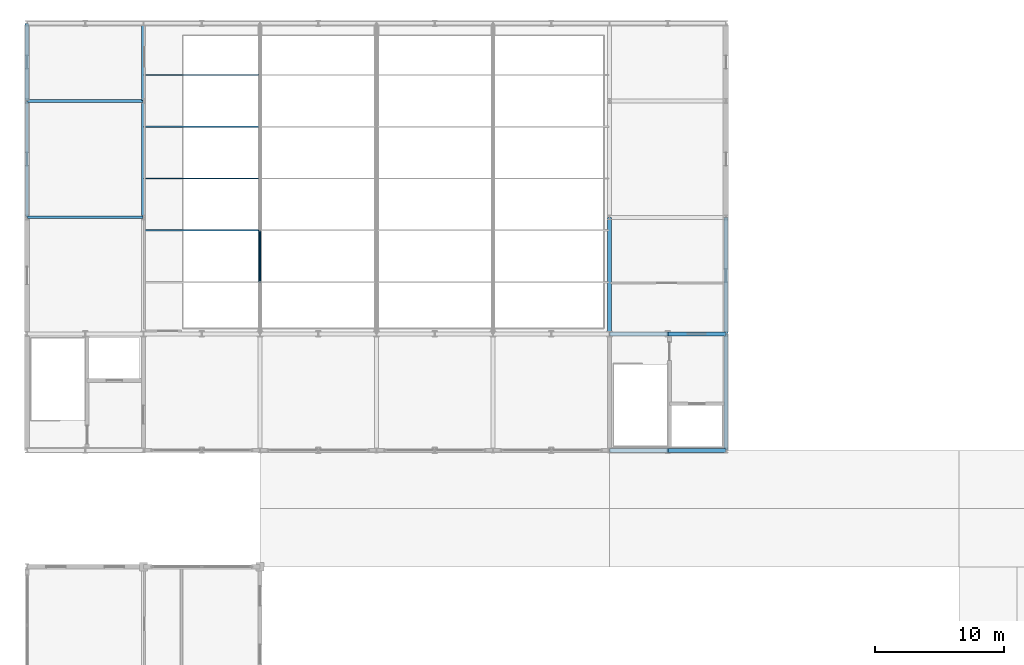
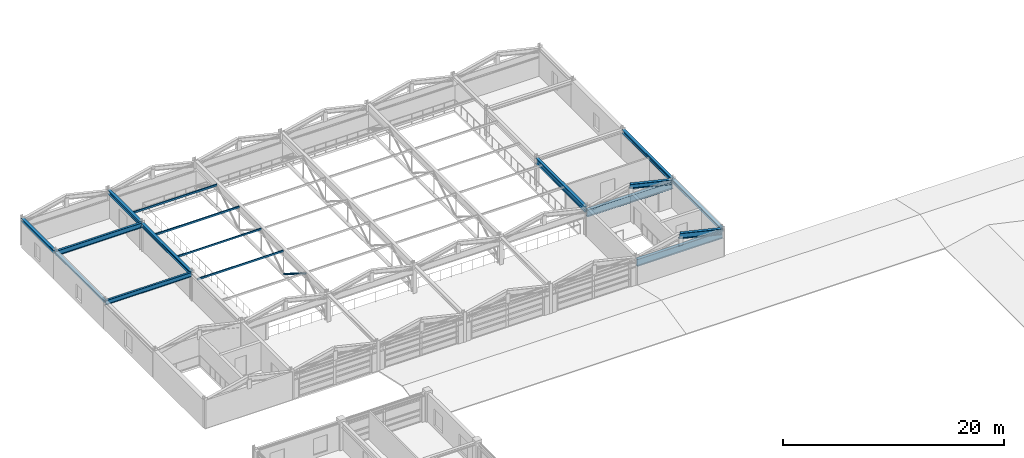
# One storey, part 29 of 91: 13 beams, 5 members.
"""IFC4 building model written with IfcOpenShell, lengths in metres."""

from ifc_helpers import new_model, si_unit, direction, frame, origin, origin_2d, place, context, subcontext, project, spatial, hollow_rectangle, hollow_circle, i_section, extrude, material, material_profile, profile_set, type_object, element, save


model = new_model("IFC4")

# Units and contexts
model_context = context("Model", 3, precision=1e-05, world=origin(), true_north=direction((0.0, 1.0)))
body_context = subcontext(model_context, "Body", "Model", "MODEL_VIEW")
ifc_project = project(units=[si_unit("LENGTHUNIT", "METRE"), si_unit("AREAUNIT", "SQUARE_METRE"), si_unit("VOLUMEUNIT", "CUBIC_METRE"), si_unit("PLANEANGLEUNIT", "RADIAN"), si_unit("MASSUNIT", "GRAM", prefix="KILO")], contexts=[model_context])

# Site, building, storey
site_placement = place(None, origin())
site = spatial("IfcSite", under=ifc_project, at=site_placement, CompositionType="ELEMENT")
building_placement = place(site_placement, origin())
building = spatial("IfcBuilding", under=site, at=building_placement, Name="Palais des Congres Ocreval", CompositionType="ELEMENT")
storey_placement = place(building_placement, frame((0.0, 0.0, 8.159912109375)))
storey = spatial("IfcBuildingStorey", under=building, at=storey_placement, Name="L02", CompositionType="ELEMENT", Elevation=8.159912109375)

# Beams
ifc_material = material(Name="Steel S355", Category="steel")
ifc_material_profile_1 = material_profile(ifc_material, i_section(OverallWidth=0.199951171875, OverallDepth=0.5, WebThickness=0.01025390625, FlangeThickness=0.01611328125, at=origin_2d()), Name="IPE 500")
ifc_profile_set_1 = profile_set([ifc_material_profile_1], Name="Steel S355")
beam_type_1 = type_object("IfcBeamType", Name="Composite Beam IPE 500 Steel S355", PredefinedType="BEAM", material=ifc_profile_set_1)
beam_1_placement = place(storey_placement, frame((0.02001953125, 99.0, 2.85009765625), z_axis=(1.0, 0.0, 0.0), x_axis=(0.0, 1.0, 0.0)))
element("IfcBeam", 1, at=beam_1_placement, inside=storey, type_object=beam_type_1, Name="Beam B04 L02", PredefinedType="BEAM", context=body_context, shape_type="SweptSolid", body=[
    extrude(i_section(OverallWidth=0.199951171875, OverallDepth=0.5, WebThickness=0.01025390625, FlangeThickness=0.01611328125, at=origin_2d()), origin(), (0.0, 0.0, 1.0), 8.9599609375),
])
ifc_material_profile_2 = material_profile(ifc_material, i_section(OverallWidth=0.2099609375, OverallDepth=0.550048828125, WebThickness=0.010986328125, FlangeThickness=0.01708984375, at=origin_2d()), Name="IPE 550")
ifc_profile_set_2 = profile_set([ifc_material_profile_2], Name="Steel S355")
beam_type_2 = type_object("IfcBeamType", Name="Composite Beam IPE 550 Steel S355", PredefinedType="BEAM", material=ifc_profile_set_2)
beam_2_placement = place(storey_placement, frame((0.02001953125, 108.0, 2.8251953125), z_axis=(1.0, 0.0, 0.0), x_axis=(0.0, 1.0, 0.0)))
element("IfcBeam", 2, at=beam_2_placement, inside=storey, type_object=beam_type_2, Name="Beam B05 L02", PredefinedType="BEAM", context=body_context, shape_type="SweptSolid", body=[
    extrude(i_section(OverallWidth=0.2099609375, OverallDepth=0.550048828125, WebThickness=0.010986328125, FlangeThickness=0.01708984375, at=origin_2d()), origin(), (0.0, 0.0, 1.0), 8.9599609375),
])

# Member
ifc_material_profile_3 = material_profile(ifc_material, hollow_circle(Radius=0.096923828125, WallThickness=0.010009765625, at=origin_2d()), Name="CHS 193.7x10")
ifc_profile_set_3 = profile_set([ifc_material_profile_3], Name="Steel S355")
member_type_1 = type_object("IfcMemberType", Name="Diagonal Brace CHS 193.7x10 Steel S355", PredefinedType="BRACE", material=ifc_profile_set_3)
member_1_placement = place(storey_placement, frame((18.0, 94.0, 2.7900390625), z_axis=(0.0, 0.847998304005, -0.529998940003), x_axis=(-1.0, 0.0, 0.0)))
element("IfcMember", 3, at=member_1_placement, inside=storey, type_object=member_type_1, Name="ROOF TRUSS Diagonal V1-18-2", PredefinedType="BRACE", context=body_context, shape_type="SweptSolid", body=[
    extrude(hollow_circle(Radius=0.096923828125, WallThickness=0.010009765625, at=origin_2d()), origin(), (0.0, 0.0, 1.0), 4.717041015625),
])

# Beams
ifc_material_profile_4 = material_profile(ifc_material, i_section(OverallWidth=0.300048828125, OverallDepth=0.7900390625, WebThickness=0.014892578125, FlangeThickness=0.028076171875, at=origin_2d()), Name="HEA 800")
ifc_profile_set_4 = profile_set([ifc_material_profile_4], Name="Steel S355")
beam_type_3 = type_object("IfcBeamType", Name="Long-Span Girder HEA 800 Steel S355", PredefinedType="BEAM", material=ifc_profile_set_4)
for number, where, z_axis, x_axis, name in (
    (4, (45.02001953125, 81.0, 2.43017578125), (1.0, 0.0, 0.0), (0.0, 1.0, 0.0), "Beam B15 L02"),
    (5, (45.02001953125, 90.0, 2.43017578125), (1.0, 0.0, 0.0), (0.0, 1.0, 0.0), "Beam B15 L02"),
):
    element("IfcBeam", number, at=place(storey_placement, frame(where, z_axis=z_axis, x_axis=x_axis)), inside=storey, type_object=beam_type_3, Name=name, PredefinedType="BEAM", context=body_context, shape_type="SweptSolid", body=[
        extrude(i_section(OverallWidth=0.300048828125, OverallDepth=0.7900390625, WebThickness=0.014892578125, FlangeThickness=0.028076171875, at=origin_2d()), origin(), (0.0, 0.0, 1.0), 8.9599609375),
    ])
ifc_material_profile_5 = material_profile(ifc_material, i_section(OverallWidth=0.260009765625, OverallDepth=0.260009765625, WebThickness=0.010009765625, FlangeThickness=0.017578125, at=origin_2d()), Name="HEB 260")
ifc_profile_set_5 = profile_set([ifc_material_profile_5], Name="Steel S355")
beam_type_4 = type_object("IfcBeamType", Name="Opening Lintel HEB 260 Steel S355", PredefinedType="LINTEL", material=ifc_profile_set_5)
beam_3_placement = place(storey_placement, frame((0.0, 99.02001953125, 2.969970703125), z_axis=(0.0, 1.0, 0.0), x_axis=(-1.0, 0.0, 0.0)))
element("IfcBeam", 6, at=beam_3_placement, inside=storey, type_object=beam_type_4, Name="Girder LN01 L02", PredefinedType="LINTEL", context=body_context, shape_type="SweptSolid", body=[
    extrude(i_section(OverallWidth=0.260009765625, OverallDepth=0.260009765625, WebThickness=0.010009765625, FlangeThickness=0.017578125, at=origin_2d()), origin(), (0.0, 0.0, 1.0), 8.9599609375),
])
ifc_material_profile_6 = material_profile(ifc_material, i_section(OverallWidth=0.300048828125, OverallDepth=0.300048828125, WebThickness=0.010986328125, FlangeThickness=0.01904296875, at=origin_2d()), Name="HEB 300")
ifc_profile_set_6 = profile_set([ifc_material_profile_6], Name="Steel S355")
beam_type_5 = type_object("IfcBeamType", Name="Perimeter Spandrel HEB 300 Steel S355", PredefinedType="SPANDREL", material=ifc_profile_set_6)
beam_4_placement = place(storey_placement, frame((0.0, 108.02001953125, 2.9501953125), z_axis=(0.0, 1.0, 0.0), x_axis=(-1.0, 0.0, 0.0)))
element("IfcBeam", 7, at=beam_4_placement, inside=storey, type_object=beam_type_5, Name="Girder SP02 L02", PredefinedType="SPANDREL", context=body_context, shape_type="SweptSolid", body=[
    extrude(i_section(OverallWidth=0.300048828125, OverallDepth=0.300048828125, WebThickness=0.010986328125, FlangeThickness=0.01904296875, at=origin_2d()), origin(), (0.0, 0.0, 1.0), 5.9599609375),
])
ifc_material_profile_7 = material_profile(ifc_material, i_section(OverallWidth=0.300048828125, OverallDepth=0.360107421875, WebThickness=0.012451171875, FlangeThickness=0.0224609375, at=origin_2d()), Name="HEB 360")
ifc_profile_set_7 = profile_set([ifc_material_profile_7], Name="Steel S355")
beam_type_6 = type_object("IfcBeamType", Name="Perimeter Spandrel HEB 360 Steel S355", PredefinedType="SPANDREL", material=ifc_profile_set_7)
beam_5_placement = place(storey_placement, frame((54.0, 81.02001953125, 2.920166015625), z_axis=(0.0, 1.0, 0.0), x_axis=(-1.0, 0.0, 0.0)))
element("IfcBeam", 8, at=beam_5_placement, inside=storey, type_object=beam_type_6, Name="Girder SP03 L02", PredefinedType="SPANDREL", context=body_context, shape_type="SweptSolid", body=[
    extrude(i_section(OverallWidth=0.300048828125, OverallDepth=0.360107421875, WebThickness=0.012451171875, FlangeThickness=0.0224609375, at=origin_2d()), origin(), (0.0, 0.0, 1.0), 8.9599609375),
])
ifc_material_profile_8 = material_profile(ifc_material, i_section(OverallWidth=0.300048828125, OverallDepth=0.39990234375, WebThickness=0.013427734375, FlangeThickness=0.02392578125, at=origin_2d()), Name="HEB 400")
ifc_profile_set_8 = profile_set([ifc_material_profile_8], Name="Steel S355")
beam_type_7 = type_object("IfcBeamType", Name="Perimeter Spandrel HEB 400 Steel S355", PredefinedType="SPANDREL", material=ifc_profile_set_8)
beam_6_placement = place(storey_placement, frame((54.0, 90.02001953125, 2.900146484375), z_axis=(0.0, 1.0, 0.0), x_axis=(-1.0, 0.0, 0.0)))
element("IfcBeam", 9, at=beam_6_placement, inside=storey, type_object=beam_type_7, Name="Girder SP04 L02", PredefinedType="SPANDREL", context=body_context, shape_type="SweptSolid", body=[
    extrude(i_section(OverallWidth=0.300048828125, OverallDepth=0.39990234375, WebThickness=0.013427734375, FlangeThickness=0.02392578125, at=origin_2d()), origin(), (0.0, 0.0, 1.0), 8.9599609375),
])
ifc_material_profile_9 = material_profile(ifc_material, i_section(OverallWidth=0.300048828125, OverallDepth=0.389892578125, WebThickness=0.010986328125, FlangeThickness=0.01904296875, at=origin_2d()), Name="HEA 400")
ifc_profile_set_9 = profile_set([ifc_material_profile_9], Name="Steel S355")
beam_type_8 = type_object("IfcBeamType", Name="Primary Beam HEA 400 Steel S355", PredefinedType="BEAM", material=ifc_profile_set_9)
beam_7_placement = place(storey_placement, frame((9.0, 99.02001953125, 2.905029296875), z_axis=(0.0, 1.0, 0.0), x_axis=(-1.0, 0.0, 0.0)))
element("IfcBeam", 10, at=beam_7_placement, inside=storey, type_object=beam_type_8, Name="Girder B10 L02", PredefinedType="BEAM", context=body_context, shape_type="SweptSolid", body=[
    extrude(i_section(OverallWidth=0.300048828125, OverallDepth=0.389892578125, WebThickness=0.010986328125, FlangeThickness=0.01904296875, at=origin_2d()), origin(), (0.0, 0.0, 1.0), 8.9599609375),
])
ifc_material_profile_10 = material_profile(ifc_material, i_section(OverallWidth=0.300048828125, OverallDepth=0.43994140625, WebThickness=0.011474609375, FlangeThickness=0.02099609375, at=origin_2d()), Name="HEA 450")
ifc_profile_set_10 = profile_set([ifc_material_profile_10], Name="Steel S355")
beam_type_9 = type_object("IfcBeamType", Name="Primary Beam HEA 450 Steel S355", PredefinedType="BEAM", material=ifc_profile_set_10)
beam_8_placement = place(storey_placement, frame((9.0, 108.02001953125, 2.880126953125), z_axis=(0.0, 1.0, 0.0), x_axis=(-1.0, 0.0, 0.0)))
element("IfcBeam", 11, at=beam_8_placement, inside=storey, type_object=beam_type_9, Name="Girder B11 L02", PredefinedType="BEAM", context=body_context, shape_type="SweptSolid", body=[
    extrude(i_section(OverallWidth=0.300048828125, OverallDepth=0.43994140625, WebThickness=0.011474609375, FlangeThickness=0.02099609375, at=origin_2d()), origin(), (0.0, 0.0, 1.0), 5.9599609375),
])
ifc_material_profile_11 = material_profile(ifc_material, i_section(OverallWidth=0.300048828125, OverallDepth=0.590087890625, WebThickness=0.012939453125, FlangeThickness=0.02490234375, at=origin_2d()), Name="HEA 600")
ifc_profile_set_11 = profile_set([ifc_material_profile_11], Name="Steel S355")
beam_type_10 = type_object("IfcBeamType", Name="Primary Girder HEA 600 Steel S355", PredefinedType="BEAM", material=ifc_profile_set_11)
beam_9_placement = place(storey_placement, frame((45.0, 90.02001953125, 2.80517578125), z_axis=(0.0, 1.0, 0.0), x_axis=(-1.0, 0.0, 0.0)))
element("IfcBeam", 12, at=beam_9_placement, inside=storey, type_object=beam_type_10, Name="Girder B13 L02", PredefinedType="BEAM", context=body_context, shape_type="SweptSolid", body=[
    extrude(i_section(OverallWidth=0.300048828125, OverallDepth=0.590087890625, WebThickness=0.012939453125, FlangeThickness=0.02490234375, at=origin_2d()), origin(), (0.0, 0.0, 1.0), 8.9599609375),
])
ifc_material_profile_12 = material_profile(ifc_material, i_section(OverallWidth=0.300048828125, OverallDepth=0.5, WebThickness=0.014404296875, FlangeThickness=0.028076171875, at=origin_2d()), Name="HEB 500")
ifc_profile_set_12 = profile_set([ifc_material_profile_12], Name="Steel S355")
beam_type_11 = type_object("IfcBeamType", Name="ROOF TRUSS Rafter HEB 500 Steel S355", PredefinedType="BEAM", material=ifc_profile_set_12)
beam_10_placement = place(storey_placement, frame((49.5, 90.0, 3.820068359375), z_axis=(0.972896426025, 0.0, -0.231241311682), x_axis=(0.0, 1.0, 0.0)))
element("IfcBeam", 13, at=beam_10_placement, inside=storey, type_object=beam_type_11, Name="ROOF TRUSS Folded Rafter RFB1", PredefinedType="BEAM", context=body_context, shape_type="SweptSolid", body=[
    extrude(i_section(OverallWidth=0.300048828125, OverallDepth=0.5, WebThickness=0.014404296875, FlangeThickness=0.028076171875, at=origin_2d()), origin(), (0.0, 0.0, 1.0), 4.584228515625),
])
ifc_material_profile_13 = material_profile(ifc_material, i_section(OverallWidth=0.300048828125, OverallDepth=0.60009765625, WebThickness=0.015380859375, FlangeThickness=0.030029296875, at=origin_2d()), Name="HEB 600")
ifc_profile_set_13 = profile_set([ifc_material_profile_13], Name="Steel S355")
beam_type_12 = type_object("IfcBeamType", Name="ROOF TRUSS Rafter HEB 600 Steel S355", PredefinedType="BEAM", material=ifc_profile_set_13)
beam_11_placement = place(storey_placement, frame((49.5, 81.0, 3.820068359375), z_axis=(0.972896426025, 0.0, -0.231241311682), x_axis=(0.0, 1.0, 0.0)))
element("IfcBeam", 14, at=beam_11_placement, inside=storey, type_object=beam_type_12, Name="ROOF TRUSS Folded Rafter RFB2", PredefinedType="BEAM", context=body_context, shape_type="SweptSolid", body=[
    extrude(i_section(OverallWidth=0.300048828125, OverallDepth=0.60009765625, WebThickness=0.015380859375, FlangeThickness=0.030029296875, at=origin_2d()), origin(), (0.0, 0.0, 1.0), 4.584228515625),
])

# Members
ifc_material_profile_14 = material_profile(ifc_material, hollow_rectangle(XDim=0.10009765625, YDim=0.179931640625, WallThickness=0.008056640625, at=origin_2d()), Name="RHS 180x100x8")
ifc_profile_set_14 = profile_set([ifc_material_profile_14], Name="Steel S355")
member_type_2 = type_object("IfcMemberType", Name="Roof Purlin RHS 180x100x8 Steel S355", PredefinedType="PURLIN", material=ifc_profile_set_14)
member_2_placement = place(storey_placement, frame((9.02001953125, 102.0, 2.860107421875), z_axis=(1.0, 0.0, 0.0), x_axis=(0.0, 1.0, 0.0)))
element("IfcMember", 15, at=member_2_placement, inside=storey, type_object=member_type_2, Name="Roof Purlin PU03 V1", PredefinedType="PURLIN", context=body_context, shape_type="SweptSolid", body=[
    extrude(hollow_rectangle(XDim=0.10009765625, YDim=0.179931640625, WallThickness=0.008056640625, at=origin_2d()), origin(), (0.0, 0.0, 1.0), 8.9599609375),
])
ifc_material_profile_15 = material_profile(ifc_material, hollow_rectangle(XDim=0.10009765625, YDim=0.199951171875, WallThickness=0.010009765625, at=origin_2d()), Name="RHS 200x100x10")
ifc_profile_set_15 = profile_set([ifc_material_profile_15], Name="Steel S355")
member_type_3 = type_object("IfcMemberType", Name="Roof Purlin RHS 200x100x10 Steel S355", PredefinedType="PURLIN", material=ifc_profile_set_15)
for number, where, z_axis, x_axis, name in (
    (16, (9.02001953125, 98.0, 2.860107421875), (1.0, 0.0, 0.0), (0.0, 1.0, 0.0), "Roof Purlin PU02 V1"),
    (17, (9.02001953125, 110.0, 2.860107421875), (1.0, 0.0, 0.0), (0.0, 1.0, 0.0), "Roof Purlin PU02 V1"),
):
    element("IfcMember", number, at=place(storey_placement, frame(where, z_axis=z_axis, x_axis=x_axis)), inside=storey, type_object=member_type_3, Name=name, PredefinedType="PURLIN", context=body_context, shape_type="SweptSolid", body=[
        extrude(hollow_rectangle(XDim=0.10009765625, YDim=0.199951171875, WallThickness=0.010009765625, at=origin_2d()), origin(), (0.0, 0.0, 1.0), 8.9599609375),
    ])
ifc_material_profile_16 = material_profile(ifc_material, hollow_rectangle(XDim=0.1201171875, YDim=0.199951171875, WallThickness=0.010009765625, at=origin_2d()), Name="RHS 200x120x10")
ifc_profile_set_16 = profile_set([ifc_material_profile_16], Name="Steel S355")
member_type_4 = type_object("IfcMemberType", Name="Roof Purlin RHS 200x120x10 Steel S355", PredefinedType="PURLIN", material=ifc_profile_set_16)
member_3_placement = place(storey_placement, frame((9.02001953125, 106.0, 2.860107421875), z_axis=(1.0, 0.0, 0.0), x_axis=(0.0, 1.0, 0.0)))
element("IfcMember", 18, at=member_3_placement, inside=storey, type_object=member_type_4, Name="Roof Purlin PU01 V1", PredefinedType="PURLIN", context=body_context, shape_type="SweptSolid", body=[
    extrude(hollow_rectangle(XDim=0.1201171875, YDim=0.199951171875, WallThickness=0.010009765625, at=origin_2d()), origin(), (0.0, 0.0, 1.0), 8.9599609375),
])

save(model, "model.ifc")
